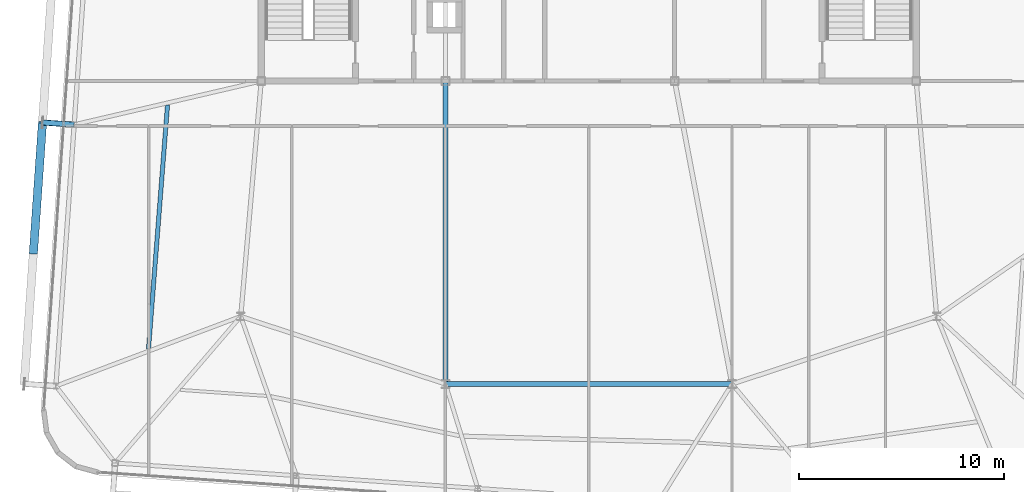
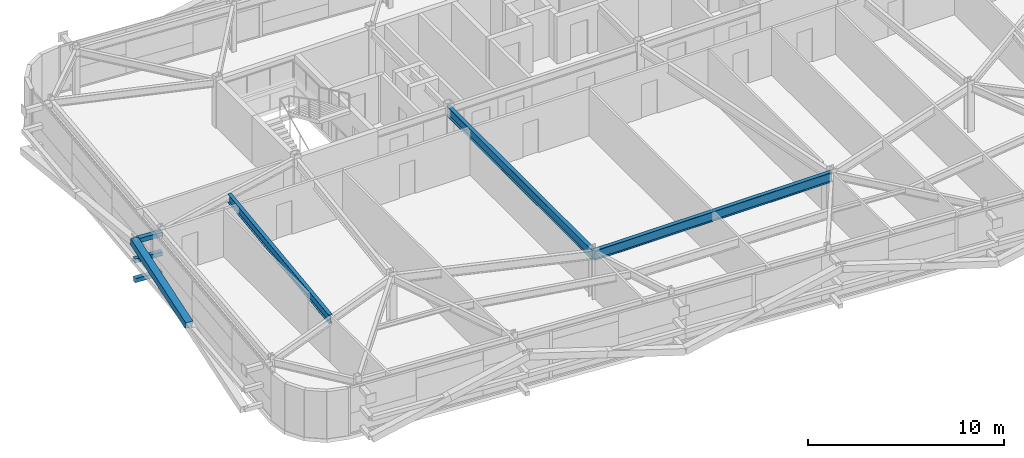
# One storey, part 10 of 39: 4 members, 3 beams.
"""IFC4 building model written with IfcOpenShell, lengths in metres."""

from ifc_helpers import new_model, si_unit, direction, frame, origin, origin_2d, place, context, subcontext, project, spatial, hollow_rectangle, i_section, extrude, source, transform, mapped, material, material_profile, profile_set, type_object, element, save


model = new_model("IFC4")

# Units and contexts
model_context = context("Model", 3, precision=1e-05, world=origin(), true_north=direction((0.0, 1.0)))
body_context = subcontext(model_context, "Body", "Model", "MODEL_VIEW")
ifc_project = project(units=[si_unit("LENGTHUNIT", "METRE"), si_unit("AREAUNIT", "SQUARE_METRE"), si_unit("VOLUMEUNIT", "CUBIC_METRE"), si_unit("PLANEANGLEUNIT", "RADIAN"), si_unit("MASSUNIT", "GRAM", prefix="KILO")], contexts=[model_context])

# Site, building, storey
site_placement = place(None, origin())
site = spatial("IfcSite", under=ifc_project, at=site_placement, CompositionType="ELEMENT")
building_placement = place(site_placement, origin())
building = spatial("IfcBuilding", under=site, at=building_placement, Name="Taldren Reach Tower", CompositionType="ELEMENT")
storey_placement = place(building_placement, frame((0.0, 0.0, 151.89990234375)))
storey = spatial("IfcBuildingStorey", under=building, at=storey_placement, Name="L46", CompositionType="ELEMENT", Elevation=151.89990234375)

# Beams
ifc_material_1 = material(Name="Steel Gr 350 (350PLUS)", Category="steel")
ifc_material_profile_1 = material_profile(ifc_material_1, i_section(OverallWidth=0.22802734375, OverallDepth=0.60205078125, WebThickness=0.010498046875, FlangeThickness=0.014892578125, at=origin_2d()), Name="610UB101")
ifc_profile_set_1 = profile_set([ifc_material_profile_1], Name="Steel Gr 350 (350PLUS)")
beam_type_1 = type_object("IfcBeamType", Name="BM-UB610B", PredefinedType="BEAM", material=ifc_profile_set_1)
shared_shape_1 = source(origin(), body_context, "Body", "SweptSolid", [
    extrude(i_section(OverallWidth=0.22802734375, OverallDepth=0.60205078125, WebThickness=0.010498046875, FlangeThickness=0.014892578125, at=origin_2d()), origin(), (0.0, 0.0, 1.0), 14.0),
])
beam_1_placement = place(storey_placement, frame((28.0, 9.199951171875, 2.629150390625), z_axis=(1.0, 0.0, 0.0), x_axis=(0.0, 1.0, 0.0)))
element("IfcBeam", 1, at=beam_1_placement, inside=storey, type_object=beam_type_1, Name="Core-spine girder L46-SP11", PredefinedType="BEAM", context=body_context, shape_type="MappedRepresentation", body=[
    mapped(shared_shape_1, transform((0.0, 0.0, 0.0), scale=1.0)),
])
shared_shape_2 = source(origin(), body_context, "Body", "SweptSolid", [
    extrude(i_section(OverallWidth=0.22802734375, OverallDepth=0.60205078125, WebThickness=0.010498046875, FlangeThickness=0.014892578125, at=origin_2d()), origin(), (0.0, 0.0, 1.0), 14.800048828125),
])
beam_2_placement = place(storey_placement, frame((28.0, 24.0, 2.629150390625), z_axis=(0.0, -1.0, 0.0), x_axis=(1.0, 0.0, 0.0)))
element("IfcBeam", 2, at=beam_2_placement, inside=storey, type_object=beam_type_1, Name="Core-spine girder L46-SP14", PredefinedType="BEAM", context=body_context, shape_type="MappedRepresentation", body=[
    mapped(shared_shape_2, transform((0.0, 0.0, 0.0), scale=1.0)),
])

# Members
ifc_material_2 = material(Name="Steel Gr 450 (C450L0)", Category="steel")
ifc_material_profile_2 = material_profile(ifc_material_2, hollow_rectangle(XDim=0.27490234375, YDim=0.27490234375, WallThickness=0.00927734375, at=origin_2d()), Name="275x275x9.3SHS")
ifc_profile_set_2 = profile_set([ifc_material_profile_2], Name="Steel Gr 450 (C450L0)")
member_type_1 = type_object("IfcMemberType", Name="MB-TIE273", PredefinedType="STRUT", material=ifc_profile_set_2)
shared_shape_3 = source(origin(), body_context, "Body", "SweptSolid", [
    extrude(hollow_rectangle(XDim=0.27490234375, YDim=0.27490234375, WallThickness=0.00927734375, at=origin_2d()), origin(), (0.0, 0.0, 1.0), 1.550048828125),
])
member_1_placement = place(storey_placement, frame((9.86181640625, 21.868408203125, 2.650146484375), z_axis=(-0.99756313426, 0.06976957191, 0.0), x_axis=(-0.06976957191, -0.99756313426, 0.0)))
element("IfcMember", 3, at=member_1_placement, inside=storey, type_object=member_type_1, Name="Exoskeleton diaphragm tie strut B3-W2 L46", PredefinedType="STRUT", context=body_context, shape_type="MappedRepresentation", body=[
    mapped(shared_shape_3, transform((0.0, 0.0, 0.0), scale=1.0)),
])
ifc_material_3 = material(Name="Steel Gr 350 (C350L0)", Category="steel")
ifc_material_profile_3 = material_profile(ifc_material_3, hollow_rectangle(XDim=0.25, YDim=0.25, WallThickness=0.010009765625, at=origin_2d()), Name="250x250x10.0SHS")
ifc_profile_set_3 = profile_set([ifc_material_profile_3], Name="Steel Gr 350 (C350L0)")
member_type_2 = type_object("IfcMemberType", Name="MB-POST250", PredefinedType="POST", material=ifc_profile_set_3)
shared_shape_4 = source(origin(), body_context, "Body", "SweptSolid", [
    extrude(hollow_rectangle(XDim=0.25, YDim=0.25, WallThickness=0.010009765625, at=origin_2d()), origin(), (0.0, 0.0, 1.0), 1.550048828125),
])
for number, where, z_axis, x_axis, name in (
    (4, (9.86181640625, 21.868408203125, 0.22021484375), (-0.99756313426, 0.06976957191, 0.0), (-0.06976957191, -0.99756313426, 0.0), "Exoskeleton base diaphragm tie strut B3-W2 L46"),
    (5, (9.86181640625, 21.868408203125, 1.43505859375), (-0.99756313426, 0.06976957191, 0.0), (-0.06976957191, -0.99756313426, 0.0), "Exoskeleton mid-tier diaphragm tie B3-W2 L46"),
):
    element("IfcMember", number, at=place(storey_placement, frame(where, z_axis=z_axis, x_axis=x_axis)), inside=storey, type_object=member_type_2, Name=name, PredefinedType="POST", context=body_context, shape_type="MappedRepresentation", body=[
        mapped(shared_shape_4, transform((0.0, 0.0, 0.0), scale=1.0)),
    ])

# Beam
ifc_material_profile_4 = material_profile(ifc_material_1, i_section(OverallWidth=0.208984375, OverallDepth=0.532958984375, WebThickness=0.01025390625, FlangeThickness=0.015625, at=origin_2d()), Name="530UB92.4")
ifc_profile_set_4 = profile_set([ifc_material_profile_4], Name="Steel Gr 350 (350PLUS)")
beam_type_2 = type_object("IfcBeamType", Name="BM-UB530A", PredefinedType="BEAM", material=ifc_profile_set_4)
shared_shape_5 = source(origin(), body_context, "Body", "SweptSolid", [
    extrude(i_section(OverallWidth=0.208984375, OverallDepth=0.532958984375, WebThickness=0.01025390625, FlangeThickness=0.015625, at=origin_2d()), origin(), (0.0, 0.0, 1.0), 11.965576171875),
])
beam_3_placement = place(storey_placement, frame((13.49267578125, 10.90478515625, 2.66357421875), z_axis=(0.077757433297, 0.996972307322, 0.0), x_axis=(-0.996972307322, 0.077757433297, 0.0)))
element("IfcBeam", 6, at=beam_3_placement, inside=storey, type_object=beam_type_2, Name="Secondary floor beam B3 J6 L46", PredefinedType="BEAM", context=body_context, shape_type="MappedRepresentation", body=[
    mapped(shared_shape_5, transform((0.0, 0.0, 0.0), scale=1.0)),
])

# Member
ifc_material_profile_5 = material_profile(ifc_material_2, hollow_rectangle(XDim=0.409912109375, YDim=0.409912109375, WallThickness=0.01611328125, at=origin_2d()), Name="410x410x16.0SHS")
ifc_profile_set_5 = profile_set([ifc_material_profile_5], Name="Steel Gr 450 (C450L0)")
member_type_3 = type_object("IfcMemberType", Name="MB-EXO406", PredefinedType="BRACE", material=ifc_profile_set_5)
shared_shape_6 = source(origin(), body_context, "Body", "SweptSolid", [
    extrude(hollow_rectangle(XDim=0.409912109375, YDim=0.409912109375, WallThickness=0.01611328125, at=origin_2d()), origin(), (0.0, 0.0, 1.0), 6.514404296875),
])
member_2_placement = place(storey_placement, frame((7.869140625, 15.592041015625, 1.43505859375), z_axis=(0.068507825937, 0.980059166346, 0.186522674885), x_axis=(-0.997565791441, 0.069731569223, 0.0)))
element("IfcMember", 7, at=member_2_placement, inside=storey, type_object=member_type_3, Name="Exoskeleton Diagrid Brace B3-W1 L46", PredefinedType="BRACE", context=body_context, shape_type="MappedRepresentation", body=[
    mapped(shared_shape_6, transform((0.0, 0.0, 0.0), scale=1.0)),
])

save(model, "model.ifc")
